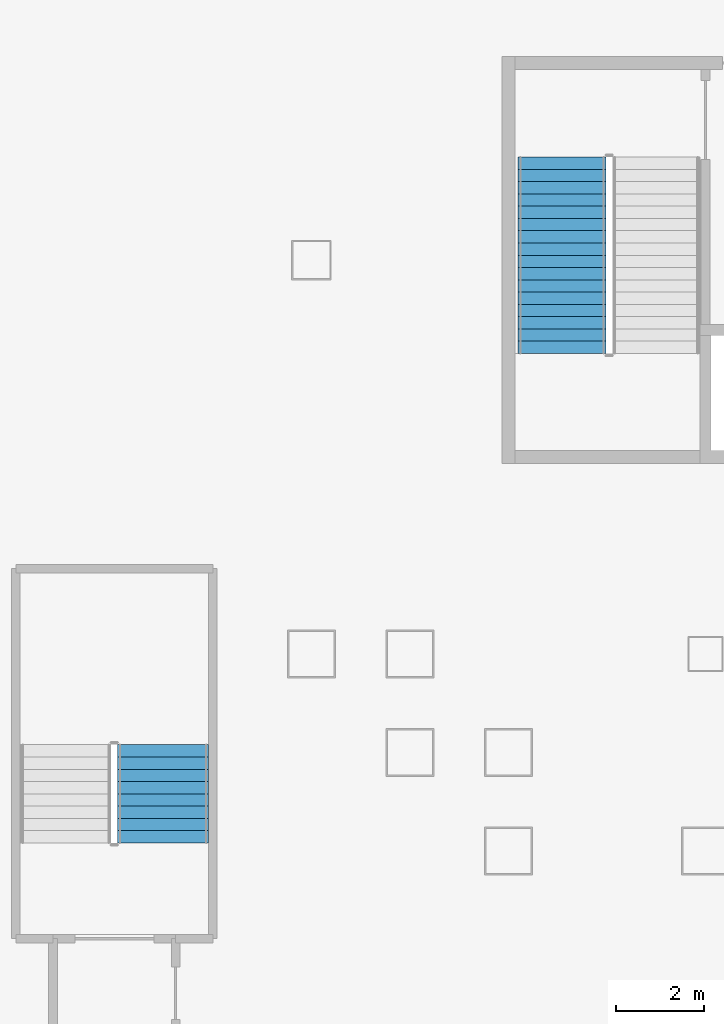
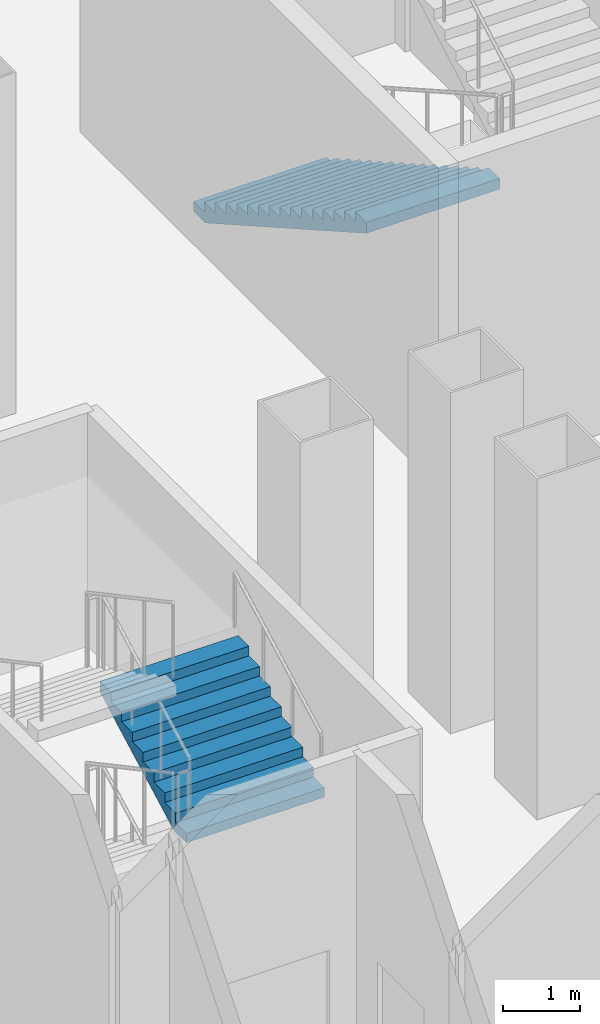
# One storey, part 10 of 26: 2 stair flights, 2 elements without a shape of their own.
"""IFC4 building model written with IfcOpenShell, lengths in metres."""

from ifc_helpers import new_model, si_unit, direction, frame, origin, place, context, subcontext, project, spatial, polygons, material, type_object, element, aggregate, save


model = new_model("IFC4")

# Units and contexts
model_context = context("Model", 3, precision=1e-05, world=origin(), true_north=direction((0.0, 1.0)))
body_context = subcontext(model_context, "Body", "Model", "MODEL_VIEW")
ifc_project = project(units=[si_unit("LENGTHUNIT", "METRE"), si_unit("AREAUNIT", "SQUARE_METRE"), si_unit("VOLUMEUNIT", "CUBIC_METRE"), si_unit("PLANEANGLEUNIT", "RADIAN"), si_unit("MASSUNIT", "GRAM", prefix="KILO")], contexts=[model_context])

# Site, building, storey
site_placement = place(None, origin())
site = spatial("IfcSite", under=ifc_project, at=site_placement, CompositionType="ELEMENT")
building_placement = place(site_placement, origin())
building = spatial("IfcBuilding", under=site, at=building_placement, Name="Caravel Reach Hotel and Residences", CompositionType="ELEMENT")
storey_placement = place(building_placement, frame((0.0, 0.0, 12.0)))
storey = spatial("IfcBuildingStorey", under=building, at=storey_placement, Name="L02", CompositionType="ELEMENT", Elevation=12.0)

# Stair, stair flight
ifc_material_1 = material(Name="Concrete C40", Category="concrete")
stair_type = type_object("IfcStairType", Name="Core stair", PredefinedType="HALF_TURN_STAIR", material=ifc_material_1)
stair_1_placement = place(storey_placement, origin())
stair_1 = element("IfcStair", 1, at=stair_1_placement, inside=storey, type_object=stair_type, Name="L02 Exit stair A", PredefinedType="HALF_TURN_STAIR")
ifc_material_2 = material(Name="Concrete C40", Category="concrete")
stair_flight_type = type_object("IfcStairFlightType", Name="Core stair flight", PredefinedType="STRAIGHT", material=ifc_material_2)
stair_flight_1_placement = place(storey_placement, frame((19.22509765625, 29.35009765625, 0.0), z_axis=(0.0, 0.0, 1.0), x_axis=(0.0, -1.0, 0.0)))
stair_flight_1 = element("IfcStairFlight", 2, at=stair_flight_1_placement, type_object=stair_flight_type, Name="ST-A flight 1", NumberOfRisers=17, NumberOfTreads=16, PredefinedType="STRAIGHT", RiserHeight=0.158823529, TreadLength=0.28, context=body_context, shape_type="Tessellation", body=[
    polygons([(0.30382651472380307, 1.0, 0.0), (0.30382651472380307, 0.6666666666666667, 0.0), (0.30382651472380307, 0.33333333333333337, 0.0), (0.30382651472380307, 0.0, 0.0), (0.30382651472380307, -0.33333333333333326, 0.0), (0.30382651472380307, -0.6666666666666667, 0.0), (0.30382651472380307, -1.0, 0.0), (4.481000000000001, 1.0, 2.3688378951706968), (4.481000000000001, 0.6666666666666667, 2.3688378951706968), (4.481000000000001, 0.33333333333333337, 2.3688378951706968), (4.481000000000001, 0.0, 2.3688378951706968), (4.481000000000001, -0.33333333333333326, 2.3688378951706968), (4.481000000000001, -0.6666666666666667, 2.3688378951706968), (4.481000000000001, -1.0, 2.3688378951706968), (4.481000000000001, 1.0, 2.541176464), (4.481000000000001, 0.6666666666666667, 2.541176464), (4.481000000000001, 0.33333333333333337, 2.541176464), (4.481000000000001, 0.0, 2.541176464), (4.481000000000001, -0.33333333333333326, 2.541176464), (4.481000000000001, -0.6666666666666667, 2.541176464), (4.481000000000001, -1.0, 2.541176464), (4.2, 1.0, 2.541176464), (4.2, 0.6666666666666667, 2.541176464), (4.2, 0.33333333333333337, 2.541176464), (4.2, 0.0, 2.541176464), (4.2, -0.33333333333333326, 2.541176464), (4.2, -0.6666666666666667, 2.541176464), (4.2, -1.0, 2.541176464), (4.2, 1.0, 2.3823529349999997), (4.2, 0.6666666666666667, 2.3823529349999997), (4.2, 0.33333333333333337, 2.3823529349999997), (4.2, 0.0, 2.3823529349999997), (4.2, -0.33333333333333326, 2.3823529349999997), (4.2, -0.6666666666666667, 2.3823529349999997), (4.2, -1.0, 2.3823529349999997), (3.9200000000000004, 1.0, 2.3823529349999997), (3.9200000000000004, 0.6666666666666667, 2.3823529349999997), (3.9200000000000004, 0.33333333333333337, 2.3823529349999997), (3.9200000000000004, 0.0, 2.3823529349999997), (3.9200000000000004, -0.33333333333333326, 2.3823529349999997), (3.9200000000000004, -0.6666666666666667, 2.3823529349999997), (3.9200000000000004, -1.0, 2.3823529349999997), (3.9200000000000004, 1.0, 2.223529406), (3.9200000000000004, 0.6666666666666667, 2.223529406), (3.9200000000000004, 0.33333333333333337, 2.223529406), (3.9200000000000004, 0.0, 2.223529406), (3.9200000000000004, -0.33333333333333326, 2.223529406), (3.9200000000000004, -0.6666666666666667, 2.223529406), (3.9200000000000004, -1.0, 2.223529406), (3.6400000000000006, 1.0, 2.223529406), (3.6400000000000006, 0.6666666666666667, 2.223529406), (3.6400000000000006, 0.33333333333333337, 2.223529406), (3.6400000000000006, 0.0, 2.223529406), (3.6400000000000006, -0.33333333333333326, 2.223529406), (3.6400000000000006, -0.6666666666666667, 2.223529406), (3.6400000000000006, -1.0, 2.223529406), (3.6400000000000006, 1.0, 2.0647058769999997), (3.6400000000000006, 0.6666666666666667, 2.0647058769999997), (3.6400000000000006, 0.33333333333333337, 2.0647058769999997), (3.6400000000000006, 0.0, 2.0647058769999997), (3.6400000000000006, -0.33333333333333326, 2.0647058769999997), (3.6400000000000006, -0.6666666666666667, 2.0647058769999997), (3.6400000000000006, -1.0, 2.0647058769999997), (3.3600000000000003, 1.0, 2.0647058769999997), (3.3600000000000003, 0.6666666666666667, 2.0647058769999997), (3.3600000000000003, 0.33333333333333337, 2.0647058769999997), (3.3600000000000003, 0.0, 2.0647058769999997), (3.3600000000000003, -0.33333333333333326, 2.0647058769999997), (3.3600000000000003, -0.6666666666666667, 2.0647058769999997), (3.3600000000000003, -1.0, 2.0647058769999997), (3.3600000000000003, 1.0, 1.905882348), (3.3600000000000003, 0.6666666666666667, 1.905882348), (3.3600000000000003, 0.33333333333333337, 1.905882348), (3.3600000000000003, 0.0, 1.905882348), (3.3600000000000003, -0.33333333333333326, 1.905882348), (3.3600000000000003, -0.6666666666666667, 1.905882348), (3.3600000000000003, -1.0, 1.905882348), (3.08, 1.0, 1.905882348), (3.08, 0.6666666666666667, 1.905882348), (3.08, 0.33333333333333337, 1.905882348), (3.08, 0.0, 1.905882348), (3.08, -0.33333333333333326, 1.905882348), (3.08, -0.6666666666666667, 1.905882348), (3.08, -1.0, 1.905882348), (3.08, 1.0, 1.7470588189999998), (3.08, 0.6666666666666667, 1.7470588189999998), (3.08, 0.33333333333333337, 1.7470588189999998), (3.08, 0.0, 1.7470588189999998), (3.08, -0.33333333333333326, 1.7470588189999998), (3.08, -0.6666666666666667, 1.7470588189999998), (3.08, -1.0, 1.7470588189999998), (2.8000000000000003, 1.0, 1.7470588189999998), (2.8000000000000003, 0.6666666666666667, 1.7470588189999998), (2.8000000000000003, 0.33333333333333337, 1.7470588189999998), (2.8000000000000003, 0.0, 1.7470588189999998), (2.8000000000000003, -0.33333333333333326, 1.7470588189999998), (2.8000000000000003, -0.6666666666666667, 1.7470588189999998), (2.8000000000000003, -1.0, 1.7470588189999998), (2.8000000000000003, 1.0, 1.5882352899999999), (2.8000000000000003, 0.6666666666666667, 1.5882352899999999), (2.8000000000000003, 0.33333333333333337, 1.5882352899999999), (2.8000000000000003, 0.0, 1.5882352899999999), (2.8000000000000003, -0.33333333333333326, 1.5882352899999999), (2.8000000000000003, -0.6666666666666667, 1.5882352899999999), (2.8000000000000003, -1.0, 1.5882352899999999), (2.5200000000000005, 1.0, 1.5882352899999999), (2.5200000000000005, 0.6666666666666667, 1.5882352899999999), (2.5200000000000005, 0.33333333333333337, 1.5882352899999999), (2.5200000000000005, 0.0, 1.5882352899999999), (2.5200000000000005, -0.33333333333333326, 1.5882352899999999), (2.5200000000000005, -0.6666666666666667, 1.5882352899999999), (2.5200000000000005, -1.0, 1.5882352899999999), (2.5200000000000005, 1.0, 1.429411761), (2.5200000000000005, 0.6666666666666667, 1.429411761), (2.5200000000000005, 0.33333333333333337, 1.429411761), (2.5200000000000005, 0.0, 1.429411761), (2.5200000000000005, -0.33333333333333326, 1.429411761), (2.5200000000000005, -0.6666666666666667, 1.429411761), (2.5200000000000005, -1.0, 1.429411761), (2.24, 1.0, 1.429411761), (2.24, 0.6666666666666667, 1.429411761), (2.24, 0.33333333333333337, 1.429411761), (2.24, 0.0, 1.429411761), (2.24, -0.33333333333333326, 1.429411761), (2.24, -0.6666666666666667, 1.429411761), (2.24, -1.0, 1.429411761), (2.24, 1.0, 1.270588232), (2.24, 0.6666666666666667, 1.270588232), (2.24, 0.33333333333333337, 1.270588232), (2.24, 0.0, 1.270588232), (2.24, -0.33333333333333326, 1.270588232), (2.24, -0.6666666666666667, 1.270588232), (2.24, -1.0, 1.270588232), (1.9600000000000002, 1.0, 1.270588232), (1.9600000000000002, 0.6666666666666667, 1.270588232), (1.9600000000000002, 0.33333333333333337, 1.270588232), (1.9600000000000002, 0.0, 1.270588232), (1.9600000000000002, -0.33333333333333326, 1.270588232), (1.9600000000000002, -0.6666666666666667, 1.270588232), (1.9600000000000002, -1.0, 1.270588232), (1.9600000000000002, 1.0, 1.111764703), (1.9600000000000002, 0.6666666666666667, 1.111764703), (1.9600000000000002, 0.33333333333333337, 1.111764703), (1.9600000000000002, 0.0, 1.111764703), (1.9600000000000002, -0.33333333333333326, 1.111764703), (1.9600000000000002, -0.6666666666666667, 1.111764703), (1.9600000000000002, -1.0, 1.111764703), (1.6800000000000002, 1.0, 1.111764703), (1.6800000000000002, 0.6666666666666667, 1.111764703), (1.6800000000000002, 0.33333333333333337, 1.111764703), (1.6800000000000002, 0.0, 1.111764703), (1.6800000000000002, -0.33333333333333326, 1.111764703), (1.6800000000000002, -0.6666666666666667, 1.111764703), (1.6800000000000002, -1.0, 1.111764703), (1.6800000000000002, 1.0, 0.952941174), (1.6800000000000002, 0.6666666666666667, 0.952941174), (1.6800000000000002, 0.33333333333333337, 0.952941174), (1.6800000000000002, 0.0, 0.952941174), (1.6800000000000002, -0.33333333333333326, 0.952941174), (1.6800000000000002, -0.6666666666666667, 0.952941174), (1.6800000000000002, -1.0, 0.952941174), (1.4000000000000001, 1.0, 0.952941174), (1.4000000000000001, 0.6666666666666667, 0.952941174), (1.4000000000000001, 0.33333333333333337, 0.952941174), (1.4000000000000001, 0.0, 0.952941174), (1.4000000000000001, -0.33333333333333326, 0.952941174), (1.4000000000000001, -0.6666666666666667, 0.952941174), (1.4000000000000001, -1.0, 0.952941174), (1.4000000000000001, 1.0, 0.7941176449999999), (1.4000000000000001, 0.6666666666666667, 0.7941176449999999), (1.4000000000000001, 0.33333333333333337, 0.7941176449999999), (1.4000000000000001, 0.0, 0.7941176449999999), (1.4000000000000001, -0.33333333333333326, 0.7941176449999999), (1.4000000000000001, -0.6666666666666667, 0.7941176449999999), (1.4000000000000001, -1.0, 0.7941176449999999), (1.12, 1.0, 0.7941176449999999), (1.12, 0.6666666666666667, 0.7941176449999999), (1.12, 0.33333333333333337, 0.7941176449999999), (1.12, 0.0, 0.7941176449999999), (1.12, -0.33333333333333326, 0.7941176449999999), (1.12, -0.6666666666666667, 0.7941176449999999), (1.12, -1.0, 0.7941176449999999), (1.12, 1.0, 0.635294116), (1.12, 0.6666666666666667, 0.635294116), (1.12, 0.33333333333333337, 0.635294116), (1.12, 0.0, 0.635294116), (1.12, -0.33333333333333326, 0.635294116), (1.12, -0.6666666666666667, 0.635294116), (1.12, -1.0, 0.635294116), (0.8400000000000001, 1.0, 0.635294116), (0.8400000000000001, 0.6666666666666667, 0.635294116), (0.8400000000000001, 0.33333333333333337, 0.635294116), (0.8400000000000001, 0.0, 0.635294116), (0.8400000000000001, -0.33333333333333326, 0.635294116), (0.8400000000000001, -0.6666666666666667, 0.635294116), (0.8400000000000001, -1.0, 0.635294116), (0.8400000000000001, 1.0, 0.476470587), (0.8400000000000001, 0.6666666666666667, 0.476470587), (0.8400000000000001, 0.33333333333333337, 0.476470587), (0.8400000000000001, 0.0, 0.476470587), (0.8400000000000001, -0.33333333333333326, 0.476470587), (0.8400000000000001, -0.6666666666666667, 0.476470587), (0.8400000000000001, -1.0, 0.476470587), (0.56, 1.0, 0.476470587), (0.56, 0.6666666666666667, 0.476470587), (0.56, 0.33333333333333337, 0.476470587), (0.56, 0.0, 0.476470587), (0.56, -0.33333333333333326, 0.476470587), (0.56, -0.6666666666666667, 0.476470587), (0.56, -1.0, 0.476470587), (0.56, 1.0, 0.317647058), (0.56, 0.6666666666666667, 0.317647058), (0.56, 0.33333333333333337, 0.317647058), (0.56, 0.0, 0.317647058), (0.56, -0.33333333333333326, 0.317647058), (0.56, -0.6666666666666667, 0.317647058), (0.56, -1.0, 0.317647058), (0.28, 1.0, 0.317647058), (0.28, 0.6666666666666667, 0.317647058), (0.28, 0.33333333333333337, 0.317647058), (0.28, 0.0, 0.317647058), (0.28, -0.33333333333333326, 0.317647058), (0.28, -0.6666666666666667, 0.317647058), (0.28, -1.0, 0.317647058), (0.28, 1.0, 0.158823529), (0.28, 0.6666666666666667, 0.158823529), (0.28, 0.33333333333333337, 0.158823529), (0.28, 0.0, 0.158823529), (0.28, -0.33333333333333326, 0.158823529), (0.28, -0.6666666666666667, 0.158823529), (0.28, -1.0, 0.158823529), (-0.001, 1.0, 0.158823529), (-0.001, 0.6666666666666667, 0.158823529), (-0.001, 0.33333333333333337, 0.158823529), (-0.001, 0.0, 0.158823529), (-0.001, -0.33333333333333326, 0.158823529), (-0.001, -0.6666666666666667, 0.158823529), (-0.001, -1.0, 0.158823529), (-0.001, 1.0, 0.0), (-0.001, 0.6666666666666667, 0.0), (-0.001, 0.33333333333333337, 0.0), (-0.001, 0.0, 0.0), (-0.001, -0.33333333333333326, 0.0), (-0.001, -0.6666666666666667, 0.0), (-0.001, -1.0, 0.0)], [[[239, 232, 225, 218, 211, 204, 197, 190, 183, 176, 169, 162, 155, 148, 141, 134, 127, 120, 113, 106, 99, 92, 85, 78, 71, 64, 57, 50, 43, 36, 29, 22, 15, 8, 1]], [[7, 14, 21, 28, 35, 42, 49, 56, 63, 70, 77, 84, 91, 98, 105, 112, 119, 126, 133, 140, 147, 154, 161, 168, 175, 182, 189, 196, 203, 210, 217, 224, 231, 238, 245]], [[1, 8, 9, 2]], [[2, 9, 10, 3]], [[3, 10, 11, 4]], [[4, 11, 12, 5]], [[5, 12, 13, 6]], [[6, 13, 14, 7]], [[8, 15, 16, 9]], [[9, 16, 17, 10]], [[10, 17, 18, 11]], [[11, 18, 19, 12]], [[12, 19, 20, 13]], [[13, 20, 21, 14]], [[15, 22, 23, 16]], [[16, 23, 24, 17]], [[17, 24, 25, 18]], [[18, 25, 26, 19]], [[19, 26, 27, 20]], [[20, 27, 28, 21]], [[22, 29, 30, 23]], [[23, 30, 31, 24]], [[24, 31, 32, 25]], [[25, 32, 33, 26]], [[26, 33, 34, 27]], [[27, 34, 35, 28]], [[29, 36, 37, 30]], [[30, 37, 38, 31]], [[31, 38, 39, 32]], [[32, 39, 40, 33]], [[33, 40, 41, 34]], [[34, 41, 42, 35]], [[36, 43, 44, 37]], [[37, 44, 45, 38]], [[38, 45, 46, 39]], [[39, 46, 47, 40]], [[40, 47, 48, 41]], [[41, 48, 49, 42]], [[43, 50, 51, 44]], [[44, 51, 52, 45]], [[45, 52, 53, 46]], [[46, 53, 54, 47]], [[47, 54, 55, 48]], [[48, 55, 56, 49]], [[50, 57, 58, 51]], [[51, 58, 59, 52]], [[52, 59, 60, 53]], [[53, 60, 61, 54]], [[54, 61, 62, 55]], [[55, 62, 63, 56]], [[57, 64, 65, 58]], [[58, 65, 66, 59]], [[59, 66, 67, 60]], [[60, 67, 68, 61]], [[61, 68, 69, 62]], [[62, 69, 70, 63]], [[64, 71, 72, 65]], [[65, 72, 73, 66]], [[66, 73, 74, 67]], [[67, 74, 75, 68]], [[68, 75, 76, 69]], [[69, 76, 77, 70]], [[71, 78, 79, 72]], [[72, 79, 80, 73]], [[73, 80, 81, 74]], [[74, 81, 82, 75]], [[75, 82, 83, 76]], [[76, 83, 84, 77]], [[78, 85, 86, 79]], [[79, 86, 87, 80]], [[80, 87, 88, 81]], [[81, 88, 89, 82]], [[82, 89, 90, 83]], [[83, 90, 91, 84]], [[85, 92, 93, 86]], [[86, 93, 94, 87]], [[87, 94, 95, 88]], [[88, 95, 96, 89]], [[89, 96, 97, 90]], [[90, 97, 98, 91]], [[92, 99, 100, 93]], [[93, 100, 101, 94]], [[94, 101, 102, 95]], [[95, 102, 103, 96]], [[96, 103, 104, 97]], [[97, 104, 105, 98]], [[99, 106, 107, 100]], [[100, 107, 108, 101]], [[101, 108, 109, 102]], [[102, 109, 110, 103]], [[103, 110, 111, 104]], [[104, 111, 112, 105]], [[106, 113, 114, 107]], [[107, 114, 115, 108]], [[108, 115, 116, 109]], [[109, 116, 117, 110]], [[110, 117, 118, 111]], [[111, 118, 119, 112]], [[113, 120, 121, 114]], [[114, 121, 122, 115]], [[115, 122, 123, 116]], [[116, 123, 124, 117]], [[117, 124, 125, 118]], [[118, 125, 126, 119]], [[120, 127, 128, 121]], [[121, 128, 129, 122]], [[122, 129, 130, 123]], [[123, 130, 131, 124]], [[124, 131, 132, 125]], [[125, 132, 133, 126]], [[127, 134, 135, 128]], [[128, 135, 136, 129]], [[129, 136, 137, 130]], [[130, 137, 138, 131]], [[131, 138, 139, 132]], [[132, 139, 140, 133]], [[134, 141, 142, 135]], [[135, 142, 143, 136]], [[136, 143, 144, 137]], [[137, 144, 145, 138]], [[138, 145, 146, 139]], [[139, 146, 147, 140]], [[141, 148, 149, 142]], [[142, 149, 150, 143]], [[143, 150, 151, 144]], [[144, 151, 152, 145]], [[145, 152, 153, 146]], [[146, 153, 154, 147]], [[148, 155, 156, 149]], [[149, 156, 157, 150]], [[150, 157, 158, 151]], [[151, 158, 159, 152]], [[152, 159, 160, 153]], [[153, 160, 161, 154]], [[155, 162, 163, 156]], [[156, 163, 164, 157]], [[157, 164, 165, 158]], [[158, 165, 166, 159]], [[159, 166, 167, 160]], [[160, 167, 168, 161]], [[162, 169, 170, 163]], [[163, 170, 171, 164]], [[164, 171, 172, 165]], [[165, 172, 173, 166]], [[166, 173, 174, 167]], [[167, 174, 175, 168]], [[169, 176, 177, 170]], [[170, 177, 178, 171]], [[171, 178, 179, 172]], [[172, 179, 180, 173]], [[173, 180, 181, 174]], [[174, 181, 182, 175]], [[176, 183, 184, 177]], [[177, 184, 185, 178]], [[178, 185, 186, 179]], [[179, 186, 187, 180]], [[180, 187, 188, 181]], [[181, 188, 189, 182]], [[183, 190, 191, 184]], [[184, 191, 192, 185]], [[185, 192, 193, 186]], [[186, 193, 194, 187]], [[187, 194, 195, 188]], [[188, 195, 196, 189]], [[190, 197, 198, 191]], [[191, 198, 199, 192]], [[192, 199, 200, 193]], [[193, 200, 201, 194]], [[194, 201, 202, 195]], [[195, 202, 203, 196]], [[197, 204, 205, 198]], [[198, 205, 206, 199]], [[199, 206, 207, 200]], [[200, 207, 208, 201]], [[201, 208, 209, 202]], [[202, 209, 210, 203]], [[204, 211, 212, 205]], [[205, 212, 213, 206]], [[206, 213, 214, 207]], [[207, 214, 215, 208]], [[208, 215, 216, 209]], [[209, 216, 217, 210]], [[211, 218, 219, 212]], [[212, 219, 220, 213]], [[213, 220, 221, 214]], [[214, 221, 222, 215]], [[215, 222, 223, 216]], [[216, 223, 224, 217]], [[218, 225, 226, 219]], [[219, 226, 227, 220]], [[220, 227, 228, 221]], [[221, 228, 229, 222]], [[222, 229, 230, 223]], [[223, 230, 231, 224]], [[225, 232, 233, 226]], [[226, 233, 234, 227]], [[227, 234, 235, 228]], [[228, 235, 236, 229]], [[229, 236, 237, 230]], [[230, 237, 238, 231]], [[232, 239, 240, 233]], [[233, 240, 241, 234]], [[234, 241, 242, 235]], [[235, 242, 243, 236]], [[236, 243, 244, 237]], [[237, 244, 245, 238]], [[239, 1, 2, 240]], [[240, 2, 3, 241]], [[241, 3, 4, 242]], [[242, 4, 5, 243]], [[243, 5, 6, 244]], [[244, 6, 7, 245]]], closed=True),
])
aggregate(stair_1, [stair_flight_1])

stair_2_placement = place(storey_placement, origin())
stair_2 = element("IfcStair", 3, at=stair_2_placement, inside=storey, type_object=stair_type, Name="L02 Exit stair P3", PredefinedType="HALF_TURN_STAIR")
stair_flight_2_placement = place(storey_placement, frame((10.110107421875, 13.68994140625, 2.699951171875), z_axis=(0.0, 0.0, 1.0), x_axis=(0.0, 1.0, 0.0)))
stair_flight_2 = element("IfcStairFlight", 4, at=stair_flight_2_placement, type_object=stair_flight_type, Name="ST-P3 flight 3", NumberOfRisers=9, NumberOfTreads=8, PredefinedType="STRAIGHT", RiserHeight=0.15, TreadLength=0.28, context=body_context, shape_type="Tessellation", body=[
    polygons([(0.3174408016601864, 1.0350341796875, 0.0), (0.3174408016601864, 0.6900227864583333, 0.0), (0.3174408016601864, 0.34501139322916663, 0.0), (0.3174408016601864, 0.0, 0.0), (0.3174408016601864, -0.34501139322916674, 0.0), (0.3174408016601864, -0.6900227864583333, 0.0), (0.3174408016601864, -1.0350341796875, 0.0), (2.241, 1.0350341796875, 1.029942427682043), (2.241, 0.6900227864583333, 1.029942427682043), (2.241, 0.34501139322916663, 1.029942427682043), (2.241, 0.0, 1.029942427682043), (2.241, -0.34501139322916674, 1.029942427682043), (2.241, -0.6900227864583333, 1.029942427682043), (2.241, -1.0350341796875, 1.029942427682043), (2.241, 1.0350341796875, 1.2), (2.241, 0.6900227864583333, 1.2), (2.241, 0.34501139322916663, 1.2), (2.241, 0.0, 1.2), (2.241, -0.34501139322916674, 1.2), (2.241, -0.6900227864583333, 1.2), (2.241, -1.0350341796875, 1.2), (1.9600000000000002, 1.0350341796875, 1.2), (1.9600000000000002, 0.6900227864583333, 1.2), (1.9600000000000002, 0.34501139322916663, 1.2), (1.9600000000000002, 0.0, 1.2), (1.9600000000000002, -0.34501139322916674, 1.2), (1.9600000000000002, -0.6900227864583333, 1.2), (1.9600000000000002, -1.0350341796875, 1.2), (1.9600000000000002, 1.0350341796875, 1.05), (1.9600000000000002, 0.6900227864583333, 1.05), (1.9600000000000002, 0.34501139322916663, 1.05), (1.9600000000000002, 0.0, 1.05), (1.9600000000000002, -0.34501139322916674, 1.05), (1.9600000000000002, -0.6900227864583333, 1.05), (1.9600000000000002, -1.0350341796875, 1.05), (1.6800000000000002, 1.0350341796875, 1.05), (1.6800000000000002, 0.6900227864583333, 1.05), (1.6800000000000002, 0.34501139322916663, 1.05), (1.6800000000000002, 0.0, 1.05), (1.6800000000000002, -0.34501139322916674, 1.05), (1.6800000000000002, -0.6900227864583333, 1.05), (1.6800000000000002, -1.0350341796875, 1.05), (1.6800000000000002, 1.0350341796875, 0.8999999999999999), (1.6800000000000002, 0.6900227864583333, 0.8999999999999999), (1.6800000000000002, 0.34501139322916663, 0.8999999999999999), (1.6800000000000002, 0.0, 0.8999999999999999), (1.6800000000000002, -0.34501139322916674, 0.8999999999999999), (1.6800000000000002, -0.6900227864583333, 0.8999999999999999), (1.6800000000000002, -1.0350341796875, 0.8999999999999999), (1.4000000000000001, 1.0350341796875, 0.8999999999999999), (1.4000000000000001, 0.6900227864583333, 0.8999999999999999), (1.4000000000000001, 0.34501139322916663, 0.8999999999999999), (1.4000000000000001, 0.0, 0.8999999999999999), (1.4000000000000001, -0.34501139322916674, 0.8999999999999999), (1.4000000000000001, -0.6900227864583333, 0.8999999999999999), (1.4000000000000001, -1.0350341796875, 0.8999999999999999), (1.4000000000000001, 1.0350341796875, 0.75), (1.4000000000000001, 0.6900227864583333, 0.75), (1.4000000000000001, 0.34501139322916663, 0.75), (1.4000000000000001, 0.0, 0.75), (1.4000000000000001, -0.34501139322916674, 0.75), (1.4000000000000001, -0.6900227864583333, 0.75), (1.4000000000000001, -1.0350341796875, 0.75), (1.12, 1.0350341796875, 0.75), (1.12, 0.6900227864583333, 0.75), (1.12, 0.34501139322916663, 0.75), (1.12, 0.0, 0.75), (1.12, -0.34501139322916674, 0.75), (1.12, -0.6900227864583333, 0.75), (1.12, -1.0350341796875, 0.75), (1.12, 1.0350341796875, 0.6), (1.12, 0.6900227864583333, 0.6), (1.12, 0.34501139322916663, 0.6), (1.12, 0.0, 0.6), (1.12, -0.34501139322916674, 0.6), (1.12, -0.6900227864583333, 0.6), (1.12, -1.0350341796875, 0.6), (0.8400000000000001, 1.0350341796875, 0.6), (0.8400000000000001, 0.6900227864583333, 0.6), (0.8400000000000001, 0.34501139322916663, 0.6), (0.8400000000000001, 0.0, 0.6), (0.8400000000000001, -0.34501139322916674, 0.6), (0.8400000000000001, -0.6900227864583333, 0.6), (0.8400000000000001, -1.0350341796875, 0.6), (0.8400000000000001, 1.0350341796875, 0.44999999999999996), (0.8400000000000001, 0.6900227864583333, 0.44999999999999996), (0.8400000000000001, 0.34501139322916663, 0.44999999999999996), (0.8400000000000001, 0.0, 0.44999999999999996), (0.8400000000000001, -0.34501139322916674, 0.44999999999999996), (0.8400000000000001, -0.6900227864583333, 0.44999999999999996), (0.8400000000000001, -1.0350341796875, 0.44999999999999996), (0.56, 1.0350341796875, 0.44999999999999996), (0.56, 0.6900227864583333, 0.44999999999999996), (0.56, 0.34501139322916663, 0.44999999999999996), (0.56, 0.0, 0.44999999999999996), (0.56, -0.34501139322916674, 0.44999999999999996), (0.56, -0.6900227864583333, 0.44999999999999996), (0.56, -1.0350341796875, 0.44999999999999996), (0.56, 1.0350341796875, 0.3), (0.56, 0.6900227864583333, 0.3), (0.56, 0.34501139322916663, 0.3), (0.56, 0.0, 0.3), (0.56, -0.34501139322916674, 0.3), (0.56, -0.6900227864583333, 0.3), (0.56, -1.0350341796875, 0.3), (0.28, 1.0350341796875, 0.3), (0.28, 0.6900227864583333, 0.3), (0.28, 0.34501139322916663, 0.3), (0.28, 0.0, 0.3), (0.28, -0.34501139322916674, 0.3), (0.28, -0.6900227864583333, 0.3), (0.28, -1.0350341796875, 0.3), (0.28, 1.0350341796875, 0.15), (0.28, 0.6900227864583333, 0.15), (0.28, 0.34501139322916663, 0.15), (0.28, 0.0, 0.15), (0.28, -0.34501139322916674, 0.15), (0.28, -0.6900227864583333, 0.15), (0.28, -1.0350341796875, 0.15), (-0.001, 1.0350341796875, 0.15), (-0.001, 0.6900227864583333, 0.15), (-0.001, 0.34501139322916663, 0.15), (-0.001, 0.0, 0.15), (-0.001, -0.34501139322916674, 0.15), (-0.001, -0.6900227864583333, 0.15), (-0.001, -1.0350341796875, 0.15), (-0.001, 1.0350341796875, 0.0), (-0.001, 0.6900227864583333, 0.0), (-0.001, 0.34501139322916663, 0.0), (-0.001, 0.0, 0.0), (-0.001, -0.34501139322916674, 0.0), (-0.001, -0.6900227864583333, 0.0), (-0.001, -1.0350341796875, 0.0)], [[[127, 120, 113, 106, 99, 92, 85, 78, 71, 64, 57, 50, 43, 36, 29, 22, 15, 8, 1]], [[7, 14, 21, 28, 35, 42, 49, 56, 63, 70, 77, 84, 91, 98, 105, 112, 119, 126, 133]], [[1, 8, 9, 2]], [[2, 9, 10, 3]], [[3, 10, 11, 4]], [[4, 11, 12, 5]], [[5, 12, 13, 6]], [[6, 13, 14, 7]], [[8, 15, 16, 9]], [[9, 16, 17, 10]], [[10, 17, 18, 11]], [[11, 18, 19, 12]], [[12, 19, 20, 13]], [[13, 20, 21, 14]], [[15, 22, 23, 16]], [[16, 23, 24, 17]], [[17, 24, 25, 18]], [[18, 25, 26, 19]], [[19, 26, 27, 20]], [[20, 27, 28, 21]], [[22, 29, 30, 23]], [[23, 30, 31, 24]], [[24, 31, 32, 25]], [[25, 32, 33, 26]], [[26, 33, 34, 27]], [[27, 34, 35, 28]], [[29, 36, 37, 30]], [[30, 37, 38, 31]], [[31, 38, 39, 32]], [[32, 39, 40, 33]], [[33, 40, 41, 34]], [[34, 41, 42, 35]], [[36, 43, 44, 37]], [[37, 44, 45, 38]], [[38, 45, 46, 39]], [[39, 46, 47, 40]], [[40, 47, 48, 41]], [[41, 48, 49, 42]], [[43, 50, 51, 44]], [[44, 51, 52, 45]], [[45, 52, 53, 46]], [[46, 53, 54, 47]], [[47, 54, 55, 48]], [[48, 55, 56, 49]], [[50, 57, 58, 51]], [[51, 58, 59, 52]], [[52, 59, 60, 53]], [[53, 60, 61, 54]], [[54, 61, 62, 55]], [[55, 62, 63, 56]], [[57, 64, 65, 58]], [[58, 65, 66, 59]], [[59, 66, 67, 60]], [[60, 67, 68, 61]], [[61, 68, 69, 62]], [[62, 69, 70, 63]], [[64, 71, 72, 65]], [[65, 72, 73, 66]], [[66, 73, 74, 67]], [[67, 74, 75, 68]], [[68, 75, 76, 69]], [[69, 76, 77, 70]], [[71, 78, 79, 72]], [[72, 79, 80, 73]], [[73, 80, 81, 74]], [[74, 81, 82, 75]], [[75, 82, 83, 76]], [[76, 83, 84, 77]], [[78, 85, 86, 79]], [[79, 86, 87, 80]], [[80, 87, 88, 81]], [[81, 88, 89, 82]], [[82, 89, 90, 83]], [[83, 90, 91, 84]], [[85, 92, 93, 86]], [[86, 93, 94, 87]], [[87, 94, 95, 88]], [[88, 95, 96, 89]], [[89, 96, 97, 90]], [[90, 97, 98, 91]], [[92, 99, 100, 93]], [[93, 100, 101, 94]], [[94, 101, 102, 95]], [[95, 102, 103, 96]], [[96, 103, 104, 97]], [[97, 104, 105, 98]], [[99, 106, 107, 100]], [[100, 107, 108, 101]], [[101, 108, 109, 102]], [[102, 109, 110, 103]], [[103, 110, 111, 104]], [[104, 111, 112, 105]], [[106, 113, 114, 107]], [[107, 114, 115, 108]], [[108, 115, 116, 109]], [[109, 116, 117, 110]], [[110, 117, 118, 111]], [[111, 118, 119, 112]], [[113, 120, 121, 114]], [[114, 121, 122, 115]], [[115, 122, 123, 116]], [[116, 123, 124, 117]], [[117, 124, 125, 118]], [[118, 125, 126, 119]], [[120, 127, 128, 121]], [[121, 128, 129, 122]], [[122, 129, 130, 123]], [[123, 130, 131, 124]], [[124, 131, 132, 125]], [[125, 132, 133, 126]], [[127, 1, 2, 128]], [[128, 2, 3, 129]], [[129, 3, 4, 130]], [[130, 4, 5, 131]], [[131, 5, 6, 132]], [[132, 6, 7, 133]]], closed=True),
])
aggregate(stair_2, [stair_flight_2])

save(model, "model.ifc")
